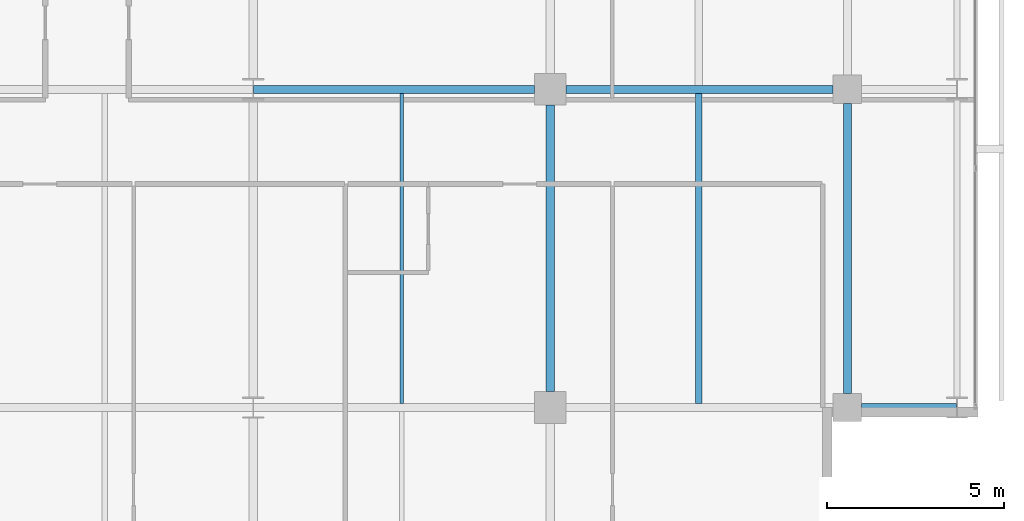
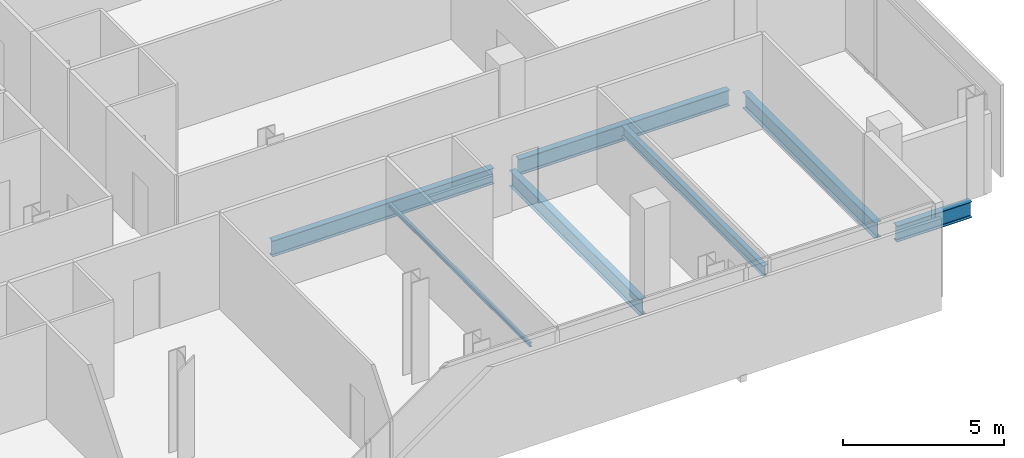
# One storey, part 14 of 32: 7 beams.
"""IFC4 building model written with IfcOpenShell, lengths in metres."""

from ifc_helpers import new_model, si_unit, direction, frame, origin, origin_2d, place, context, subcontext, project, spatial, i_section, extrude, material, material_profile, profile_set, type_object, element, save


model = new_model("IFC4")

# Units and contexts
model_context = context("Model", 3, precision=1e-05, world=origin(), true_north=direction((0.0, 1.0)))
body_context = subcontext(model_context, "Body", "Model", "MODEL_VIEW")
ifc_project = project(units=[si_unit("LENGTHUNIT", "METRE"), si_unit("AREAUNIT", "SQUARE_METRE"), si_unit("VOLUMEUNIT", "CUBIC_METRE"), si_unit("PLANEANGLEUNIT", "RADIAN"), si_unit("MASSUNIT", "GRAM", prefix="KILO")], contexts=[model_context])

# Site, building, storey
site_placement = place(None, origin())
site = spatial("IfcSite", under=ifc_project, at=site_placement, CompositionType="ELEMENT")
building_placement = place(site_placement, origin())
building = spatial("IfcBuilding", under=site, at=building_placement, Name="Maruvema Waterfront Hotel and Observation Tower", CompositionType="ELEMENT")
storey_placement = place(building_placement, frame((0.0, 0.0, 162.050048828125)))
storey = spatial("IfcBuildingStorey", under=building, at=storey_placement, Name="L39", CompositionType="ELEMENT", Elevation=162.050048828125)

# Beams
ifc_material_1 = material(Name="Steel ASTM A572 Grade 50", Category="steel")
ifc_material_profile_1 = material_profile(ifc_material_1, i_section(OverallWidth=0.22802734375, OverallDepth=0.60302734375, WebThickness=0.010498046875, FlangeThickness=0.014892578125, FilletRadius=0.01806640625, at=origin_2d()), Name="W610x101.0")
ifc_profile_set_1 = profile_set([ifc_material_profile_1], Name="Steel ASTM A572 Grade 50")
beam_type_1 = type_object("IfcBeamType", Name="Primary Floor Girder W610x101.0", PredefinedType="BEAM", material=ifc_profile_set_1)
beam_1_placement = place(storey_placement, frame((59.199951171875, 9.0, -0.54150390625), z_axis=(1.0, 0.0, 0.0), x_axis=(0.0, 1.0, 0.0)))
element("IfcBeam", 1, at=beam_1_placement, inside=storey, type_object=beam_type_1, Name="L39 Floor Girder EW-10", PredefinedType="BEAM", context=body_context, shape_type="SweptSolid", body=[
    extrude(i_section(OverallWidth=0.22802734375, OverallDepth=0.60302734375, WebThickness=0.010498046875, FlangeThickness=0.014892578125, FilletRadius=0.01806640625, at=origin_2d()), origin(), (0.0, 0.0, 1.0), 2.6875),
])
beam_2_placement = place(storey_placement, frame((42.012451171875, 18.0, -0.54150390625), z_axis=(1.0, 0.0, 0.0), x_axis=(0.0, 1.0, 0.0)))
element("IfcBeam", 2, at=beam_2_placement, inside=storey, type_object=beam_type_1, Name="L39 Floor Girder EW-15", PredefinedType="BEAM", context=body_context, shape_type="SweptSolid", body=[
    extrude(i_section(OverallWidth=0.22802734375, OverallDepth=0.60302734375, WebThickness=0.010498046875, FlangeThickness=0.014892578125, FilletRadius=0.01806640625, at=origin_2d()), origin(), (0.0, 0.0, 1.0), 7.9375),
])
beam_3_placement = place(storey_placement, frame((50.85009765625, 18.0, -0.54150390625), z_axis=(1.0, 0.0, 0.0), x_axis=(0.0, 1.0, 0.0)))
element("IfcBeam", 3, at=beam_3_placement, inside=storey, type_object=beam_type_1, Name="L39 Floor Girder EW-16", PredefinedType="BEAM", context=body_context, shape_type="SweptSolid", body=[
    extrude(i_section(OverallWidth=0.22802734375, OverallDepth=0.60302734375, WebThickness=0.010498046875, FlangeThickness=0.014892578125, FilletRadius=0.01806640625, at=origin_2d()), origin(), (0.0, 0.0, 1.0), 7.5498046875),
])
beam_4_placement = place(storey_placement, frame((50.39990234375, 9.449951171875, -0.54150390625), z_axis=(0.0, 1.0, 0.0), x_axis=(-1.0, 0.0, 0.0)))
element("IfcBeam", 4, at=beam_4_placement, inside=storey, type_object=beam_type_1, Name="L39 Floor Girder NS-21", PredefinedType="BEAM", context=body_context, shape_type="SweptSolid", body=[
    extrude(i_section(OverallWidth=0.22802734375, OverallDepth=0.60302734375, WebThickness=0.010498046875, FlangeThickness=0.014892578125, FilletRadius=0.01806640625, at=origin_2d()), origin(), (0.0, 0.0, 1.0), 8.10009765625),
])
beam_5_placement = place(storey_placement, frame((58.800048828125, 9.39990234375, -0.54150390625), z_axis=(0.0, 1.0, 0.0), x_axis=(-1.0, 0.0, 0.0)))
element("IfcBeam", 5, at=beam_5_placement, inside=storey, type_object=beam_type_1, Name="L39 Floor Girder NS-25", PredefinedType="BEAM", context=body_context, shape_type="SweptSolid", body=[
    extrude(i_section(OverallWidth=0.22802734375, OverallDepth=0.60302734375, WebThickness=0.010498046875, FlangeThickness=0.014892578125, FilletRadius=0.01806640625, at=origin_2d()), origin(), (0.0, 0.0, 1.0), 8.2001953125),
])
ifc_material_2 = material(Name="Steel ASTM A572 Grade 50", Category="steel")
ifc_material_profile_2 = material_profile(ifc_material_2, i_section(OverallWidth=0.10009765625, OverallDepth=0.153076171875, WebThickness=0.005859375, FlangeThickness=0.007080078125, FilletRadius=0.008056640625, at=origin_2d()), Name="W150x18.0")
ifc_profile_set_2 = profile_set([ifc_material_profile_2], Name="Steel ASTM A572 Grade 50")
beam_type_2 = type_object("IfcBeamType", Name="Secondary Floor Joist W150x18.0", PredefinedType="JOIST", material=ifc_profile_set_2)
beam_6_placement = place(storey_placement, frame((46.199951171875, 9.114013671875, -0.316650390625), z_axis=(0.0, 1.0, 0.0), x_axis=(-1.0, 0.0, 0.0)))
element("IfcBeam", 6, at=beam_6_placement, inside=storey, type_object=beam_type_2, Name="L39 Secondary Floor Joist JS-10", PredefinedType="JOIST", context=body_context, shape_type="SweptSolid", body=[
    extrude(i_section(OverallWidth=0.10009765625, OverallDepth=0.153076171875, WebThickness=0.005859375, FlangeThickness=0.007080078125, FilletRadius=0.008056640625, at=origin_2d()), origin(), (0.0, 0.0, 1.0), 8.77197265625),
])
ifc_material_3 = material(Name="Steel ASTM A572 Grade 50", Category="steel")
ifc_material_profile_3 = material_profile(ifc_material_3, i_section(OverallWidth=0.177001953125, OverallDepth=0.403076171875, WebThickness=0.007568359375, FlangeThickness=0.010986328125, FilletRadius=0.014892578125, at=origin_2d()), Name="W410x53.0")
ifc_profile_set_3 = profile_set([ifc_material_profile_3], Name="Steel ASTM A572 Grade 50")
beam_type_3 = type_object("IfcBeamType", Name="Secondary Floor Joist W410x53.0", PredefinedType="JOIST", material=ifc_profile_set_3)
beam_7_placement = place(storey_placement, frame((54.60009765625, 9.114013671875, -0.441650390625), z_axis=(0.0, 1.0, 0.0), x_axis=(-1.0, 0.0, 0.0)))
element("IfcBeam", 7, at=beam_7_placement, inside=storey, type_object=beam_type_3, Name="L39 Secondary Floor Joist JS-11", PredefinedType="JOIST", context=body_context, shape_type="SweptSolid", body=[
    extrude(i_section(OverallWidth=0.177001953125, OverallDepth=0.403076171875, WebThickness=0.007568359375, FlangeThickness=0.010986328125, FilletRadius=0.014892578125, at=origin_2d()), origin(), (0.0, 0.0, 1.0), 8.77197265625),
])

save(model, "model.ifc")
